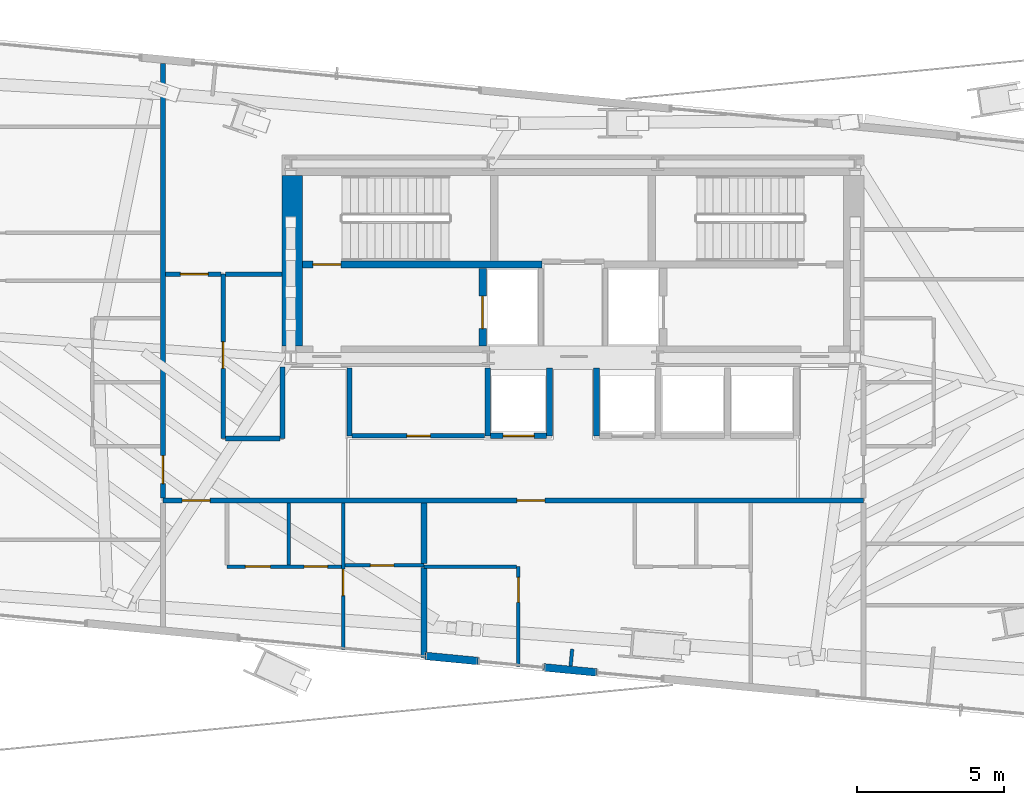
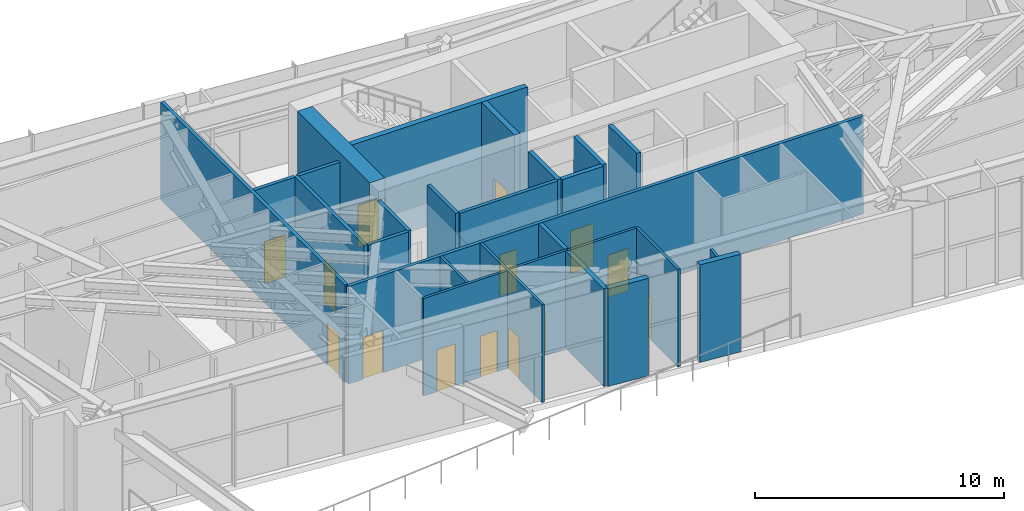
# One storey, part 17 of 23: 27 walls, 14 doors, 14 openings.
"""IFC4 building model written with IfcOpenShell, lengths in metres."""

from ifc_helpers import new_model, si_unit, direction, frame, frame_2d, origin, place, context, subcontext, project, spatial, rectangle, extrude, source, transform, mapped, material, layer, layer_set, type_object, type_shapes, element, fill, save


model = new_model("IFC4")

# Units and contexts
model_context = context("Model", 3, precision=1e-05, world=origin(), true_north=direction((0.0, 1.0)))
body_context = subcontext(model_context, "Body", "Model", "MODEL_VIEW")
ifc_project = project(units=[si_unit("LENGTHUNIT", "METRE"), si_unit("AREAUNIT", "SQUARE_METRE"), si_unit("VOLUMEUNIT", "CUBIC_METRE"), si_unit("PLANEANGLEUNIT", "RADIAN"), si_unit("MASSUNIT", "GRAM", prefix="KILO")], contexts=[model_context])

# Site, building, storey
site_placement = place(None, origin())
site = spatial("IfcSite", under=ifc_project, at=site_placement, CompositionType="ELEMENT")
building_placement = place(site_placement, origin())
building = spatial("IfcBuilding", under=site, at=building_placement, Name="Astriad Promenade Condominiums", CompositionType="ELEMENT")
storey_placement = place(building_placement, frame((0.0, 0.0, 119.39990234375)))
storey = spatial("IfcBuildingStorey", under=building, at=storey_placement, Name="L34", CompositionType="ELEMENT", Elevation=119.39990234375)

# Wall
ifc_material_1 = material(Name="Concrete C60/75", Category="concrete")
ifc_layer_1 = layer(ifc_material_1, 0.699951171875)
ifc_layer_set_1 = layer_set([ifc_layer_1], Name="Concrete C60/75")
wall_type_1 = type_object("IfcWallType", Name="CW-SHEAR-700", PredefinedType="SHEAR", material=ifc_layer_set_1)
wall_1_placement = place(storey_placement, frame((26.449951171875, 17.802001953125, 0.0), z_axis=(0.0, 0.0, 1.0), x_axis=(0.0, 1.0, 0.0)))
element("IfcWall", 1, at=wall_1_placement, inside=storey, type_object=wall_type_1, Name="CW-CORE-W-L34", PredefinedType="SHEAR", context=body_context, shape_type="SweptSolid", body=[
    extrude(rectangle(XDim=5.7958984375, YDim=0.699951171875, at=frame_2d((2.89794921875, 0.0))), origin(), (0.0, 0.0, 1.0), 5.2001953125),
])

# Wall, opening, door
ifc_material_2 = material(Name="Concrete C50/60", Category="concrete")
ifc_layer_2 = layer(ifc_material_2, 0.25)
ifc_layer_set_2 = layer_set([ifc_layer_2], Name="Concrete C50/60")
wall_type_2 = type_object("IfcWallType", Name="WALL-CORE-INT-250", PredefinedType="SOLIDWALL", material=ifc_layer_set_2)
wall_2_placement = place(storey_placement, frame((26.802001953125, 20.574951171875, 0.0), z_axis=(0.0, 0.0, 1.0), x_axis=(1.0, 0.0, 0.0)))
wall_2 = element("IfcWall", 2, at=wall_2_placement, inside=storey, type_object=wall_type_2, Name="CW-INT-H1-L34", PredefinedType="SOLIDWALL", context=body_context, shape_type="SweptSolid", body=[
    extrude(rectangle(XDim=8.14794921875, YDim=0.25, at=frame_2d((4.073974609375, 0.0))), origin(), (0.0, 0.0, 1.0), 5.2001953125),
])
opening_1_placement = place(wall_2_placement, frame((0.347900390625, 0.0, 0.0)))
opening_1 = element("IfcOpeningElement", 3, at=opening_1_placement, cuts=wall_2, Name="Opening FD90-ST-095", PredefinedType="OPENING", context=body_context, shape_type="SweptSolid", body=[
    extrude(rectangle(XDim=0.949951171875, YDim=2.06005859375, at=frame_2d((0.47509765625, 1.030029296875))), frame((0.0, 0.135009765625, 0.0), z_axis=(0.0, -1.0, 0.0), x_axis=(1.0, 0.0, 0.0)), (0.0, 0.0, 1.0), 0.27001953125),
])
ifc_material_3 = material(Name="Fire-Rated Hollow Metal Stair Door")
door_type_1 = type_object("IfcDoorType", Name="FD90-ST-095", OperationType="NOTDEFINED", PredefinedType="DOOR", material=ifc_material_3)
shared_shape_1 = source(origin(), body_context, "Body", "SweptSolid", [
    extrude(rectangle(XDim=0.949951171875, YDim=2.06005859375, at=frame_2d((0.47509765625, 1.030029296875))), frame((0.0, 0.02490234375, 0.0), z_axis=(0.0, -1.0, 0.0), x_axis=(1.0, 0.0, 0.0)), (0.0, 0.0, 1.0), 0.050048828125),
])
type_shapes(door_type_1, [shared_shape_1])
door_1_placement = place(opening_1_placement, origin())
door_1 = element("IfcDoor", 4, at=door_1_placement, inside=storey, type_object=door_type_1, Name="D-ST1-L34", OperationType="SINGLE_SWING_RIGHT", OverallHeight=2.06005859375, OverallWidth=0.949951171875, PredefinedType="DOOR", context=body_context, shape_type="MappedRepresentation", body=[
    mapped(shared_shape_1, transform((0.0, 0.0, 0.0), scale=1.0)),
])
fill(opening_1, door_1)

wall_3_placement = place(storey_placement, frame((32.925048828125, 17.802001953125, 0.0), z_axis=(0.0, 0.0, 1.0), x_axis=(0.0, 1.0, 0.0)))
wall_3 = element("IfcWall", 5, at=wall_3_placement, inside=storey, type_object=wall_type_2, Name="CW-FFL1-W-L34", PredefinedType="SOLIDWALL", context=body_context, shape_type="SweptSolid", body=[
    extrude(rectangle(XDim=2.64599609375, YDim=0.25, at=frame_2d((1.322998046875, 0.0))), origin(), (0.0, 0.0, 1.0), 5.2001953125),
])
opening_2_placement = place(wall_3_placement, frame((0.597900390625, 0.0, 0.0)))
opening_2 = element("IfcOpeningElement", 6, at=opening_2_placement, cuts=wall_3, Name="Opening LD-FFL-1122", PredefinedType="OPENING", context=body_context, shape_type="SweptSolid", body=[
    extrude(rectangle(XDim=1.10009765625, YDim=2.080078125, at=frame_2d((0.550048828125, 1.0400390625))), frame((0.0, 0.135009765625, 0.0), z_axis=(0.0, -1.0, 0.0), x_axis=(1.0, 0.0, 0.0)), (0.0, 0.0, 1.0), 0.27001953125),
])
ifc_material_4 = material(Name="Brushed Stainless Steel Fire Elevator Landing Door", Category="steel")
door_type_2 = type_object("IfcDoorType", Name="LD-FFL-1122", OperationType="NOTDEFINED", PredefinedType="DOOR", material=ifc_material_4)
shared_shape_2 = source(origin(), body_context, "Body", "SweptSolid", [
    extrude(rectangle(XDim=1.10009765625, YDim=2.080078125, at=frame_2d((0.550048828125, 1.0400390625))), frame((0.0, 0.02490234375, 0.0), z_axis=(0.0, -1.0, 0.0), x_axis=(1.0, 0.0, 0.0)), (0.0, 0.0, 1.0), 0.050048828125),
])
type_shapes(door_type_2, [shared_shape_2])
door_2_placement = place(opening_2_placement, origin())
door_2 = element("IfcDoor", 7, at=door_2_placement, inside=storey, type_object=door_type_2, Name="Elevator Landing Door FFL-1 (L34)", OperationType="SLIDING_TO_LEFT", OverallHeight=2.080078125, OverallWidth=1.10009765625, PredefinedType="DOOR", context=body_context, shape_type="MappedRepresentation", body=[
    mapped(shared_shape_2, transform((0.0, 0.0, 0.0), scale=1.0)),
])
fill(opening_2, door_2)

# Wall
ifc_material_5 = material(Name="Fire-Rated Gypsum Partition")
ifc_layer_3 = layer(ifc_material_5, 0.159912109375)
ifc_layer_set_3 = layer_set([ifc_layer_3], Name="Fire-Rated Gypsum Partition")
wall_type_3 = type_object("IfcWallType", Name="WALL-CORR-160", PredefinedType="PARTITIONING", material=ifc_layer_set_3)
wall_4_placement = place(storey_placement, frame((28.39990234375, 14.75, 0.0), z_axis=(0.0, 0.0, 1.0), x_axis=(0.0, 1.0, 0.0)))
element("IfcWall", 8, at=wall_4_placement, inside=storey, type_object=wall_type_3, Name="REC-L-W-L34", PredefinedType="PARTITIONING", context=body_context, shape_type="SweptSolid", body=[
    extrude(rectangle(XDim=2.300048828125, YDim=0.159912109375, at=frame_2d((1.14990234375, 0.0))), origin(), (0.0, 0.0, 1.0), 4.780029296875),
])

# Wall, opening, door
wall_5_placement = place(storey_placement, frame((28.48193359375, 14.75, 0.0), z_axis=(0.0, 0.0, 1.0), x_axis=(1.0, 0.0, 0.0)))
wall_5 = element("IfcWall", 9, at=wall_5_placement, inside=storey, type_object=wall_type_3, Name="REC-L-S-L34", PredefinedType="PARTITIONING", context=body_context, shape_type="SweptSolid", body=[
    extrude(rectangle(XDim=4.51611328125, YDim=0.159912109375, at=frame_2d((2.258056640625, 0.0))), origin(), (0.0, 0.0, 1.0), 4.780029296875),
])
opening_3_placement = place(wall_5_placement, frame((1.867919921875, 0.0, 0.0)))
opening_3 = element("IfcOpeningElement", 10, at=opening_3_placement, cuts=wall_5, Name="Opening FD60-SV-080", PredefinedType="OPENING", context=body_context, shape_type="SweptSolid", body=[
    extrude(rectangle(XDim=0.800048828125, YDim=2.050048828125, at=frame_2d((0.39990234375, 1.02490234375))), frame((0.0, 0.08984375, 0.0), z_axis=(0.0, -1.0, 0.0), x_axis=(1.0, 0.0, 0.0)), (0.0, 0.0, 1.0), 0.179931640625),
])
ifc_material_6 = material(Name="Fire-Rated Riser Closet Door")
door_type_3 = type_object("IfcDoorType", Name="FD60-SV-080", OperationType="NOTDEFINED", PredefinedType="DOOR", material=ifc_material_6)
shared_shape_3 = source(origin(), body_context, "Body", "SweptSolid", [
    extrude(rectangle(XDim=0.800048828125, YDim=2.050048828125, at=frame_2d((0.39990234375, 1.02490234375))), frame((0.0, 0.02490234375, 0.0), z_axis=(0.0, -1.0, 0.0), x_axis=(1.0, 0.0, 0.0)), (0.0, 0.0, 1.0), 0.050048828125),
])
type_shapes(door_type_3, [shared_shape_3])
door_3_placement = place(opening_3_placement, origin())
door_3 = element("IfcDoor", 11, at=door_3_placement, inside=storey, type_object=door_type_3, Name="D-RECL-L34", OperationType="SINGLE_SWING_LEFT", OverallHeight=2.050048828125, OverallWidth=0.800048828125, PredefinedType="DOOR", context=body_context, shape_type="MappedRepresentation", body=[
    mapped(shared_shape_3, transform((0.0, 0.0, 0.0), scale=1.0)),
])
fill(opening_3, door_3)

# Wall, openings, doors
wall_6_placement = place(storey_placement, frame((22.050048828125, 12.550048828125, 0.0), z_axis=(0.0, 0.0, 1.0), x_axis=(1.0, 0.0, 0.0)))
wall_6 = element("IfcWall", 12, at=wall_6_placement, inside=storey, type_object=wall_type_3, Name="PT-COR-S-L34", PredefinedType="PARTITIONING", context=body_context, shape_type="SweptSolid", body=[
    extrude(rectangle(XDim=23.829833984375, YDim=0.159912109375, at=frame_2d((11.9150390625, 0.0))), origin(), (0.0, 0.0, 1.0), 4.780029296875),
])
opening_4_placement = place(wall_6_placement, frame((0.655029296875, 0.0, 0.0)))
opening_4 = element("IfcOpeningElement", 13, at=opening_4_placement, cuts=wall_6, Name="Opening FD60-APT-095", PredefinedType="OPENING", context=body_context, shape_type="SweptSolid", body=[
    extrude(rectangle(XDim=0.949951171875, YDim=2.06005859375, at=frame_2d((0.47509765625, 1.030029296875))), frame((0.0, 0.08984375, 0.0), z_axis=(0.0, -1.0, 0.0), x_axis=(1.0, 0.0, 0.0)), (0.0, 0.0, 1.0), 0.179931640625),
])
opening_5_placement = place(wall_6_placement, frame((12.0400390625, 0.0, 0.0)))
opening_5 = element("IfcOpeningElement", 14, at=opening_5_placement, cuts=wall_6, Name="Opening FD60-APT-095", PredefinedType="OPENING", context=body_context, shape_type="SweptSolid", body=[
    extrude(rectangle(XDim=0.949951171875, YDim=2.06005859375, at=frame_2d((0.47509765625, 1.030029296875))), frame((0.0, 0.08984375, 0.0), z_axis=(0.0, -1.0, 0.0), x_axis=(1.0, 0.0, 0.0)), (0.0, 0.0, 1.0), 0.179931640625),
])
ifc_material_7 = material(Name="Solid-Core Acoustic Timber Residence Entry Door", Category="wood")
door_type_4 = type_object("IfcDoorType", Name="FD60-APT-095", OperationType="NOTDEFINED", PredefinedType="DOOR", material=ifc_material_7)
shared_shape_4 = source(origin(), body_context, "Body", "SweptSolid", [
    extrude(rectangle(XDim=0.949951171875, YDim=2.06005859375, at=frame_2d((0.47509765625, 1.030029296875))), frame((0.0, 0.02490234375, 0.0), z_axis=(0.0, -1.0, 0.0), x_axis=(1.0, 0.0, 0.0)), (0.0, 0.0, 1.0), 0.050048828125),
])
type_shapes(door_type_4, [shared_shape_4])
door_4_placement = place(opening_4_placement, origin())
door_4 = element("IfcDoor", 15, at=door_4_placement, inside=storey, type_object=door_type_4, Name="D-ENT-L34-S1", OperationType="SINGLE_SWING_LEFT", OverallHeight=2.06005859375, OverallWidth=0.949951171875, PredefinedType="DOOR", context=body_context, shape_type="MappedRepresentation", body=[
    mapped(shared_shape_4, transform((0.0, 0.0, 0.0), scale=1.0)),
])
fill(opening_4, door_4)
door_5_placement = place(opening_5_placement, origin())
door_5 = element("IfcDoor", 16, at=door_5_placement, inside=storey, type_object=door_type_4, Name="D-ENT-L34-S2", OperationType="SINGLE_SWING_RIGHT", OverallHeight=2.06005859375, OverallWidth=0.949951171875, PredefinedType="DOOR", context=body_context, shape_type="MappedRepresentation", body=[
    mapped(shared_shape_4, transform((0.0, 0.0, 0.0), scale=1.0)),
])
fill(opening_5, door_5)

# Wall, opening, door
wall_7_placement = place(storey_placement, frame((22.050048828125, 12.632080078125, 0.0), z_axis=(0.0, 0.0, 1.0), x_axis=(0.0, 1.0, 0.0)))
wall_7 = element("IfcWall", 17, at=wall_7_placement, inside=storey, type_object=wall_type_3, Name="PT-COR-W-L34-S2", PredefinedType="PARTITIONING", context=body_context, shape_type="SweptSolid", body=[
    extrude(rectangle(XDim=14.78515625, YDim=0.159912109375, at=frame_2d((7.392578125, 0.0))), origin(), (0.0, 0.0, 1.0), 4.780029296875),
])
opening_6_placement = place(wall_7_placement, frame((0.492919921875, 0.0, 0.0)))
opening_6 = element("IfcOpeningElement", 18, at=opening_6_placement, cuts=wall_7, Name="Opening FD60-APT-095", PredefinedType="OPENING", context=body_context, shape_type="SweptSolid", body=[
    extrude(rectangle(XDim=0.949951171875, YDim=2.06005859375, at=frame_2d((0.47509765625, 1.030029296875))), frame((0.0, 0.08984375, 0.0), z_axis=(0.0, -1.0, 0.0), x_axis=(1.0, 0.0, 0.0)), (0.0, 0.0, 1.0), 0.179931640625),
])
door_6_placement = place(opening_6_placement, origin())
door_6 = element("IfcDoor", 19, at=door_6_placement, inside=storey, type_object=door_type_4, Name="D-ENT-L34-W1", OperationType="SINGLE_SWING_RIGHT", OverallHeight=2.06005859375, OverallWidth=0.949951171875, PredefinedType="DOOR", context=body_context, shape_type="MappedRepresentation", body=[
    mapped(shared_shape_4, transform((0.0, 0.0, 0.0), scale=1.0)),
])
fill(opening_6, door_6)

wall_8_placement = place(storey_placement, frame((24.10009765625, 14.659912109375, 0.0), z_axis=(0.0, 0.0, 1.0), x_axis=(0.0, 1.0, 0.0)))
wall_8 = element("IfcWall", 20, at=wall_8_placement, inside=storey, type_object=wall_type_3, Name="PT-HK-E-L34", PredefinedType="PARTITIONING", context=body_context, shape_type="SweptSolid", body=[
    extrude(rectangle(XDim=5.590087890625, YDim=0.159912109375, at=frame_2d((2.794921875, 0.0))), origin(), (0.0, 0.0, 1.0), 4.780029296875),
])
opening_7_placement = place(wall_8_placement, frame((2.385009765625, 0.0, 0.0)))
opening_7 = element("IfcOpeningElement", 21, at=opening_7_placement, cuts=wall_8, Name="Opening D-INT-090", PredefinedType="OPENING", context=body_context, shape_type="SweptSolid", body=[
    extrude(rectangle(XDim=0.89990234375, YDim=2.050048828125, at=frame_2d((0.449951171875, 1.02490234375))), frame((0.0, 0.08984375, 0.0), z_axis=(0.0, -1.0, 0.0), x_axis=(1.0, 0.0, 0.0)), (0.0, 0.0, 1.0), 0.179931640625),
])
ifc_material_8 = material(Name="Painted Solid-Core Timber Bedroom Door", Category="wood")
door_type_5 = type_object("IfcDoorType", Name="D-INT-090", OperationType="NOTDEFINED", PredefinedType="DOOR", material=ifc_material_8)
shared_shape_5 = source(origin(), body_context, "Body", "SweptSolid", [
    extrude(rectangle(XDim=0.89990234375, YDim=2.050048828125, at=frame_2d((0.449951171875, 1.02490234375))), frame((0.0, 0.02490234375, 0.0), z_axis=(0.0, -1.0, 0.0), x_axis=(1.0, 0.0, 0.0)), (0.0, 0.0, 1.0), 0.050048828125),
])
type_shapes(door_type_5, [shared_shape_5])
door_7_placement = place(opening_7_placement, origin())
door_7 = element("IfcDoor", 22, at=door_7_placement, inside=storey, type_object=door_type_5, Name="D-AWC-L34", OperationType="SINGLE_SWING_RIGHT", OverallHeight=2.050048828125, OverallWidth=0.89990234375, PredefinedType="DOOR", context=body_context, shape_type="MappedRepresentation", body=[
    mapped(shared_shape_5, transform((0.0, 0.0, 0.0), scale=1.0)),
])
fill(opening_7, door_7)

wall_9_placement = place(storey_placement, frame((22.132080078125, 20.25, 0.0), z_axis=(0.0, 0.0, 1.0), x_axis=(1.0, 0.0, 0.0)))
wall_9 = element("IfcWall", 23, at=wall_9_placement, inside=storey, type_object=wall_type_3, Name="PT-HK-N-L34", PredefinedType="PARTITIONING", context=body_context, shape_type="SweptSolid", body=[
    extrude(rectangle(XDim=1.885986328125, YDim=0.159912109375, at=frame_2d((0.94287109375, 0.0))), origin(), (0.0, 0.0, 1.0), 4.780029296875),
])
opening_8_placement = place(wall_9_placement, frame((0.508056640625, 0.0, 0.0)))
opening_8 = element("IfcOpeningElement", 24, at=opening_8_placement, cuts=wall_9, Name="Opening FD60-APT-095", PredefinedType="OPENING", context=body_context, shape_type="SweptSolid", body=[
    extrude(rectangle(XDim=0.949951171875, YDim=2.06005859375, at=frame_2d((0.47509765625, 1.030029296875))), frame((0.0, 0.08984375, 0.0), z_axis=(0.0, -1.0, 0.0), x_axis=(1.0, 0.0, 0.0)), (0.0, 0.0, 1.0), 0.179931640625),
])
door_8_placement = place(opening_8_placement, origin())
door_8 = element("IfcDoor", 25, at=door_8_placement, inside=storey, type_object=door_type_4, Name="D-HKB-L34", OperationType="SINGLE_SWING_LEFT", OverallHeight=2.06005859375, OverallWidth=0.949951171875, PredefinedType="DOOR", context=body_context, shape_type="MappedRepresentation", body=[
    mapped(shared_shape_4, transform((0.0, 0.0, 0.0), scale=1.0)),
])
fill(opening_8, door_8)

# Walls
wall_10_placement = place(storey_placement, frame((24.181884765625, 20.25, 0.0), z_axis=(0.0, 0.0, 1.0), x_axis=(1.0, 0.0, 0.0)))
element("IfcWall", 26, at=wall_10_placement, inside=storey, type_object=wall_type_3, Name="PT-HK-N-L34-S2", PredefinedType="PARTITIONING", context=body_context, shape_type="SweptSolid", body=[
    extrude(rectangle(XDim=1.916015625, YDim=0.159912109375, at=frame_2d((0.9580078125, 0.0))), origin(), (0.0, 0.0, 1.0), 4.780029296875),
])
wall_11_placement = place(storey_placement, frame((26.1201171875, 14.659912109375, 0.0), z_axis=(0.0, 0.0, 1.0), x_axis=(0.0, 1.0, 0.0)))
element("IfcWall", 27, at=wall_11_placement, inside=storey, type_object=wall_type_3, Name="PT-WSPUR-W-L34", PredefinedType="PARTITIONING", context=body_context, shape_type="SweptSolid", body=[
    extrude(rectangle(XDim=2.43798828125, YDim=0.159912109375, at=frame_2d((1.218994140625, 0.0))), origin(), (0.0, 0.0, 1.0), 4.780029296875),
])
wall_12_placement = place(storey_placement, frame((24.181884765625, 14.659912109375, 0.0), z_axis=(0.0, 0.0, 1.0), x_axis=(1.0, 0.0, 0.0)))
element("IfcWall", 28, at=wall_12_placement, inside=storey, type_object=wall_type_3, Name="PT-HK-S-L34", PredefinedType="PARTITIONING", context=body_context, shape_type="SweptSolid", body=[
    extrude(rectangle(XDim=1.856201171875, YDim=0.159912109375, at=frame_2d((0.92822265625, 0.0))), origin(), (0.0, 0.0, 1.0), 4.780029296875),
])
ifc_material_9 = material(Name="Acoustic Double-Stud Gypsum Partition")
ifc_layer_4 = layer(ifc_material_9, 0.199951171875)
ifc_layer_set_4 = layer_set([ifc_layer_4], Name="Acoustic Double-Stud Gypsum Partition")
wall_type_4 = type_object("IfcWallType", Name="WALL-DEMISING-200", PredefinedType="PARTITIONING", material=ifc_layer_set_4)
wall_13_placement = place(storey_placement, frame((30.929931640625, 7.215087890625, 0.0), z_axis=(0.0, 0.0, 1.0), x_axis=(0.0, 1.0, 0.0)))
element("IfcWall", 29, at=wall_13_placement, inside=storey, type_object=wall_type_4, Name="PT-DEM-S1-L34", PredefinedType="PARTITIONING", context=body_context, shape_type="SweptSolid", body=[
    extrude(rectangle(XDim=3.06201171875, YDim=0.199951171875, at=frame_2d((1.531005859375, 0.0))), origin(), (0.0, 0.0, 1.0), 4.780029296875),
])
wall_14_placement = place(storey_placement, frame((30.929931640625, 10.40087890625, 0.0), z_axis=(0.0, 0.0, 1.0), x_axis=(0.0, 1.0, 0.0)))
element("IfcWall", 30, at=wall_14_placement, inside=storey, type_object=wall_type_4, Name="PT-DEM-S1-L34-S2", PredefinedType="PARTITIONING", context=body_context, shape_type="SweptSolid", body=[
    extrude(rectangle(XDim=2.067138671875, YDim=0.199951171875, at=frame_2d((1.03369140625, 0.0))), origin(), (0.0, 0.0, 1.0), 4.780029296875),
])
ifc_material_10 = material(Name="Precast concrete C50/60", Category="concrete")
ifc_layer_5 = layer(ifc_material_10, 0.260009765625)
ifc_layer_set_5 = layer_set([ifc_layer_5], Name="Precast concrete C50/60")
wall_type_5 = type_object("IfcWallType", Name="WALL-EXT-TWR-260", PredefinedType="STANDARD", material=ifc_layer_set_5)
wall_15_placement = place(storey_placement, frame((36.80029296875, 6.7001953125, 0.0), z_axis=(0.0, 0.0, 1.0), x_axis=(-0.995403559701, 0.095769271348, 0.0)))
element("IfcWall", 31, at=wall_15_placement, inside=storey, type_object=wall_type_5, Name="W-SGCOL-L34-S-3", PredefinedType="STANDARD", context=body_context, shape_type="SweptSolid", body=[
    extrude(rectangle(XDim=1.7998046875, YDim=0.260009765625, at=frame_2d((0.89990234375, 0.0))), origin(), (0.0, 0.0, 1.0), 4.780029296875),
])
wall_16_placement = place(storey_placement, frame((32.76904296875, 7.08837890625, 0.0), z_axis=(0.0, 0.0, 1.0), x_axis=(-0.995404803602, 0.095756341646, 0.0)))
element("IfcWall", 32, at=wall_16_placement, inside=storey, type_object=wall_type_5, Name="W-SGCOL-L34-S-4", PredefinedType="STANDARD", context=body_context, shape_type="SweptSolid", body=[
    extrude(rectangle(XDim=1.800048828125, YDim=0.260009765625, at=frame_2d((0.89990234375, 0.0))), origin(), (0.0, 0.0, 1.0), 4.780029296875),
])

# Wall, opening, door
ifc_material_11 = material(Name="Acoustic Metal-Stud Gypsum Partition")
ifc_layer_6 = layer(ifc_material_11, 0.1201171875)
ifc_layer_set_6 = layer_set([ifc_layer_6], Name="Acoustic Metal-Stud Gypsum Partition")
wall_type_6 = type_object("IfcWallType", Name="WALL-PART-120", PredefinedType="PARTITIONING", material=ifc_layer_set_6)
wall_17_placement = place(storey_placement, frame((28.179931640625, 7.47998046875, 0.0), z_axis=(0.0, 0.0, 1.0), x_axis=(0.0, 1.0, 0.0)))
wall_17 = element("IfcWall", 33, at=wall_17_placement, inside=storey, type_object=wall_type_6, Name="PT-L34-S1-BD1", PredefinedType="PARTITIONING", context=body_context, shape_type="SweptSolid", body=[
    extrude(rectangle(XDim=4.988037109375, YDim=0.1201171875, at=frame_2d((2.494140625, 0.0))), origin(), (0.0, 0.0, 1.0), 4.780029296875),
])
opening_9_placement = place(wall_17_placement, frame((1.835205078125, 0.0, 0.0)))
opening_9 = element("IfcOpeningElement", 34, at=opening_9_placement, cuts=wall_17, Name="Opening D-INT-090", PredefinedType="OPENING", context=body_context, shape_type="SweptSolid", body=[
    extrude(rectangle(XDim=0.89990234375, YDim=2.050048828125, at=frame_2d((0.449951171875, 1.02490234375))), frame((0.0, 0.070068359375, 0.0), z_axis=(0.0, -1.0, 0.0), x_axis=(1.0, 0.0, 0.0)), (0.0, 0.0, 1.0), 0.14013671875),
])
door_9_placement = place(opening_9_placement, origin())
door_9 = element("IfcDoor", 35, at=door_9_placement, inside=storey, type_object=door_type_5, Name="D-BD1-L34-S1", OperationType="SINGLE_SWING_RIGHT", OverallHeight=2.050048828125, OverallWidth=0.89990234375, PredefinedType="DOOR", context=body_context, shape_type="MappedRepresentation", body=[
    mapped(shared_shape_5, transform((0.0, 0.0, 0.0), scale=1.0)),
])
fill(opening_9, door_9)

# Wall, openings, doors
wall_18_placement = place(storey_placement, frame((24.22998046875, 10.300048828125, 0.0), z_axis=(0.0, 0.0, 1.0), x_axis=(1.0, 0.0, 0.0)))
wall_18 = element("IfcWall", 36, at=wall_18_placement, inside=storey, type_object=wall_type_6, Name="PT-L34-S1-PS", PredefinedType="PARTITIONING", context=body_context, shape_type="SweptSolid", body=[
    extrude(rectangle(XDim=3.887939453125, YDim=0.1201171875, at=frame_2d((1.94384765625, 0.0))), origin(), (0.0, 0.0, 1.0), 4.780029296875),
])
opening_10_placement = place(wall_18_placement, frame((0.625, 0.0, 0.0)))
opening_10 = element("IfcOpeningElement", 37, at=opening_10_placement, cuts=wall_18, Name="Opening D-INT-085", PredefinedType="OPENING", context=body_context, shape_type="SweptSolid", body=[
    extrude(rectangle(XDim=0.85009765625, YDim=2.050048828125, at=frame_2d((0.425048828125, 1.02490234375))), frame((0.0, 0.070068359375, 0.0), z_axis=(0.0, -1.0, 0.0), x_axis=(1.0, 0.0, 0.0)), (0.0, 0.0, 1.0), 0.14013671875),
])
opening_11_placement = place(wall_18_placement, frame((2.625, 0.0, 0.0)))
opening_11 = element("IfcOpeningElement", 38, at=opening_11_placement, cuts=wall_18, Name="Opening D-WET-080", PredefinedType="OPENING", context=body_context, shape_type="SweptSolid", body=[
    extrude(rectangle(XDim=0.800048828125, YDim=2.02001953125, at=frame_2d((0.39990234375, 1.010009765625))), frame((0.0, 0.070068359375, 0.0), z_axis=(0.0, -1.0, 0.0), x_axis=(1.0, 0.0, 0.0)), (0.0, 0.0, 1.0), 0.14013671875),
])
ifc_material_12 = material(Name="Moisture-Resistant Timber Bathroom Door", Category="wood")
door_type_6 = type_object("IfcDoorType", Name="D-WET-080", OperationType="NOTDEFINED", PredefinedType="DOOR", material=ifc_material_12)
shared_shape_6 = source(origin(), body_context, "Body", "SweptSolid", [
    extrude(rectangle(XDim=0.800048828125, YDim=2.02001953125, at=frame_2d((0.39990234375, 1.010009765625))), frame((0.0, 0.02490234375, 0.0), z_axis=(0.0, -1.0, 0.0), x_axis=(1.0, 0.0, 0.0)), (0.0, 0.0, 1.0), 0.050048828125),
])
type_shapes(door_type_6, [shared_shape_6])
door_10_placement = place(opening_11_placement, origin())
door_10 = element("IfcDoor", 39, at=door_10_placement, inside=storey, type_object=door_type_6, Name="D-BTH-L34-S1", OperationType="SINGLE_SWING_RIGHT", OverallHeight=2.02001953125, OverallWidth=0.800048828125, PredefinedType="DOOR", context=body_context, shape_type="MappedRepresentation", body=[
    mapped(shared_shape_6, transform((0.0, 0.0, 0.0), scale=1.0)),
])
fill(opening_11, door_10)
ifc_material_13 = material(Name="Painted Solid-Core Timber Room Door", Category="wood")
door_type_7 = type_object("IfcDoorType", Name="D-INT-085", OperationType="NOTDEFINED", PredefinedType="DOOR", material=ifc_material_13)
shared_shape_7 = source(origin(), body_context, "Body", "SweptSolid", [
    extrude(rectangle(XDim=0.85009765625, YDim=2.050048828125, at=frame_2d((0.425048828125, 1.02490234375))), frame((0.0, 0.02490234375, 0.0), z_axis=(0.0, -1.0, 0.0), x_axis=(1.0, 0.0, 0.0)), (0.0, 0.0, 1.0), 0.050048828125),
])
type_shapes(door_type_7, [shared_shape_7])
door_11_placement = place(opening_10_placement, origin())
door_11 = element("IfcDoor", 40, at=door_11_placement, inside=storey, type_object=door_type_7, Name="D-KIT-L34-S1", OperationType="SINGLE_SWING_LEFT", OverallHeight=2.050048828125, OverallWidth=0.85009765625, PredefinedType="DOOR", context=body_context, shape_type="MappedRepresentation", body=[
    mapped(shared_shape_7, transform((0.0, 0.0, 0.0), scale=1.0)),
])
fill(opening_10, door_11)

# Wall
wall_19_placement = place(storey_placement, frame((26.330078125, 10.362060546875, 0.0), z_axis=(0.0, 0.0, 1.0), x_axis=(0.0, 1.0, 0.0)))
element("IfcWall", 41, at=wall_19_placement, inside=storey, type_object=wall_type_6, Name="PT-L34-S1-PBK", PredefinedType="PARTITIONING", context=body_context, shape_type="SweptSolid", body=[
    extrude(rectangle(XDim=2.10595703125, YDim=0.1201171875, at=frame_2d((1.052978515625, 0.0))), origin(), (0.0, 0.0, 1.0), 4.780029296875),
])

# Wall, opening, door
wall_20_placement = place(storey_placement, frame((28.241943359375, 10.339111328125, 0.0), z_axis=(0.0, 0.0, 1.0), x_axis=(1.0, 0.0, 0.0)))
wall_20 = element("IfcWall", 42, at=wall_20_placement, inside=storey, type_object=wall_type_6, Name="PT-L34-S1-ENS", PredefinedType="PARTITIONING", context=body_context, shape_type="SweptSolid", body=[
    extrude(rectangle(XDim=2.68798828125, YDim=0.1201171875, at=frame_2d((1.343994140625, 0.0))), origin(), (0.0, 0.0, 1.0), 4.780029296875),
])
opening_12_placement = place(wall_20_placement, frame((0.863037109375, 0.0, 0.0)))
opening_12 = element("IfcOpeningElement", 43, at=opening_12_placement, cuts=wall_20, Name="Opening D-WET-080", PredefinedType="OPENING", context=body_context, shape_type="SweptSolid", body=[
    extrude(rectangle(XDim=0.800048828125, YDim=2.02001953125, at=frame_2d((0.39990234375, 1.010009765625))), frame((0.0, 0.070068359375, 0.0), z_axis=(0.0, -1.0, 0.0), x_axis=(1.0, 0.0, 0.0)), (0.0, 0.0, 1.0), 0.14013671875),
])
door_12_placement = place(opening_12_placement, origin())
door_12 = element("IfcDoor", 44, at=door_12_placement, inside=storey, type_object=door_type_6, Name="D-ENS-L34-S1", OperationType="SINGLE_SWING_RIGHT", OverallHeight=2.02001953125, OverallWidth=0.800048828125, PredefinedType="DOOR", context=body_context, shape_type="MappedRepresentation", body=[
    mapped(shared_shape_6, transform((0.0, 0.0, 0.0), scale=1.0)),
])
fill(opening_12, door_12)

wall_21_placement = place(storey_placement, frame((34.14111328125, 6.906005859375, 0.0), z_axis=(0.0, 0.0, 1.0), x_axis=(0.0, 1.0, 0.0)))
wall_21 = element("IfcWall", 45, at=wall_21_placement, inside=storey, type_object=wall_type_6, Name="PT-L34-S2-EXV", PredefinedType="PARTITIONING", context=body_context, shape_type="SweptSolid", body=[
    extrude(rectangle(XDim=3.39404296875, YDim=0.1201171875, at=frame_2d((1.697021484375, 0.0))), origin(), (0.0, 0.0, 1.0), 4.780029296875),
])
opening_13_placement = place(wall_21_placement, frame((2.179931640625, 0.0, 0.0)))
opening_13 = element("IfcOpeningElement", 46, at=opening_13_placement, cuts=wall_21, Name="Opening D-INT-085", PredefinedType="OPENING", context=body_context, shape_type="SweptSolid", body=[
    extrude(rectangle(XDim=0.85009765625, YDim=2.050048828125, at=frame_2d((0.425048828125, 1.02490234375))), frame((0.0, 0.070068359375, 0.0), z_axis=(0.0, -1.0, 0.0), x_axis=(1.0, 0.0, 0.0)), (0.0, 0.0, 1.0), 0.14013671875),
])
door_13_placement = place(opening_13_placement, origin())
door_13 = element("IfcDoor", 47, at=door_13_placement, inside=storey, type_object=door_type_7, Name="D-EX-L34-S2", OperationType="SINGLE_SWING_LEFT", OverallHeight=2.050048828125, OverallWidth=0.85009765625, PredefinedType="DOOR", context=body_context, shape_type="MappedRepresentation", body=[
    mapped(shared_shape_7, transform((0.0, 0.0, 0.0), scale=1.0)),
])
fill(opening_13, door_13)

# Walls
wall_22_placement = place(storey_placement, frame((30.929931640625, 10.300048828125, 0.0), z_axis=(0.0, 0.0, 1.0), x_axis=(1.0, 0.0, 0.0)))
element("IfcWall", 48, at=wall_22_placement, inside=storey, type_object=wall_type_6, Name="PT-L34-S2-EXH", PredefinedType="PARTITIONING", context=body_context, shape_type="SweptSolid", body=[
    extrude(rectangle(XDim=3.149169921875, YDim=0.1201171875, at=frame_2d((1.57470703125, 0.0))), origin(), (0.0, 0.0, 1.0), 4.780029296875),
])
wall_23_placement = place(storey_placement, frame((35.97314453125, 7.491943359375, 0.0), z_axis=(0.0, 0.0, 1.0), x_axis=(-0.095647892029, -0.995415230319, 0.0)))
element("IfcWall", 49, at=wall_23_placement, inside=storey, type_object=wall_type_6, Name="PT-PIL-L34-PC03-10", PredefinedType="PARTITIONING", context=body_context, shape_type="SweptSolid", body=[
    extrude(rectangle(XDim=0.576904296875, YDim=0.1201171875, at=frame_2d((0.28857421875, 0.0))), origin(), (0.0, 0.0, 1.0), 4.780029296875),
])
ifc_material_14 = material(Name="Gypsum Shaftliner Assembly")
ifc_layer_7 = layer(ifc_material_14, 0.199951171875)
ifc_layer_set_7 = layer_set([ifc_layer_7], Name="Gypsum Shaftliner Assembly")
wall_type_7 = type_object("IfcWallType", Name="WALL-SHAFT-200", PredefinedType="PARTITIONING", material=ifc_layer_set_7)
for number, where, z_axis, x_axis, name in (
    (50, (33.10009765625, 14.75, 0.0), (0.0, 0.0, 1.0), (0.0, 1.0, 0.0), "REC-L-E-L34"),
    (51, (35.199951171875, 14.75, 0.0), (0.0, 0.0, 1.0), (0.0, 1.0, 0.0), "PL-M1-E-L34"),
):
    element("IfcWall", number, at=place(storey_placement, frame(where, z_axis=z_axis, x_axis=x_axis)), inside=storey, type_object=wall_type_7, Name=name, PredefinedType="PARTITIONING", context=body_context, shape_type="SweptSolid", body=[
        extrude(rectangle(XDim=2.300048828125, YDim=0.199951171875, at=frame_2d((1.14990234375, 0.0))), origin(), (0.0, 0.0, 1.0), 4.780029296875),
    ])

# Wall, opening, door
wall_24_placement = place(storey_placement, frame((33.201904296875, 14.75, 0.0), z_axis=(0.0, 0.0, 1.0), x_axis=(1.0, 0.0, 0.0)))
wall_24 = element("IfcWall", 52, at=wall_24_placement, inside=storey, type_object=wall_type_7, Name="PL-M1-F-L34", PredefinedType="PARTITIONING", context=body_context, shape_type="SweptSolid", body=[
    extrude(rectangle(XDim=1.89599609375, YDim=0.199951171875, at=frame_2d((0.947998046875, 0.0))), origin(), (0.0, 0.0, 1.0), 4.780029296875),
])
opening_14_placement = place(wall_24_placement, frame((0.423095703125, 0.0, 0.0)))
opening_14 = element("IfcOpeningElement", 53, at=opening_14_placement, cuts=wall_24, Name="Opening LD-PL-10522", PredefinedType="OPENING", context=body_context, shape_type="SweptSolid", body=[
    extrude(rectangle(XDim=1.050048828125, YDim=2.080078125, at=frame_2d((0.52490234375, 1.0400390625))), frame((0.0, 0.10986328125, 0.0), z_axis=(0.0, -1.0, 0.0), x_axis=(1.0, 0.0, 0.0)), (0.0, 0.0, 1.0), 0.219970703125),
])
ifc_material_15 = material(Name="Brushed Bronze Passenger Elevator Landing Door")
door_type_8 = type_object("IfcDoorType", Name="LD-PL-10522", OperationType="NOTDEFINED", PredefinedType="DOOR", material=ifc_material_15)
shared_shape_8 = source(origin(), body_context, "Body", "SweptSolid", [
    extrude(rectangle(XDim=1.050048828125, YDim=2.080078125, at=frame_2d((0.52490234375, 1.0400390625))), frame((0.0, 0.02490234375, 0.0), z_axis=(0.0, -1.0, 0.0), x_axis=(1.0, 0.0, 0.0)), (0.0, 0.0, 1.0), 0.050048828125),
])
type_shapes(door_type_8, [shared_shape_8])
door_14_placement = place(opening_14_placement, origin())
door_14 = element("IfcDoor", 54, at=door_14_placement, inside=storey, type_object=door_type_8, Name="Elevator Landing Door PL-M1 (L34)", OperationType="SLIDING_TO_LEFT", OverallHeight=2.080078125, OverallWidth=1.050048828125, PredefinedType="DOOR", context=body_context, shape_type="MappedRepresentation", body=[
    mapped(shared_shape_8, transform((0.0, 0.0, 0.0), scale=1.0)),
])
fill(opening_14, door_14)

# Wall
wall_25_placement = place(storey_placement, frame((36.800048828125, 14.75, 0.0), z_axis=(0.0, 0.0, 1.0), x_axis=(0.0, 1.0, 0.0)))
element("IfcWall", 55, at=wall_25_placement, inside=storey, type_object=wall_type_7, Name="PL-M2-W-L34", PredefinedType="PARTITIONING", context=body_context, shape_type="SweptSolid", body=[
    extrude(rectangle(XDim=2.300048828125, YDim=0.199951171875, at=frame_2d((1.14990234375, 0.0))), origin(), (0.0, 0.0, 1.0), 4.780029296875),
])

save(model, "model.ifc")
